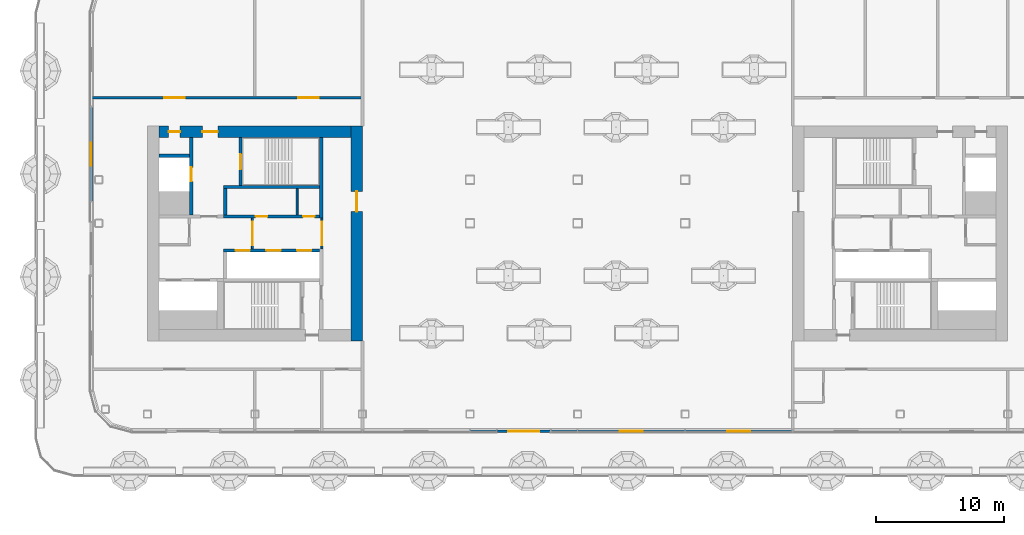
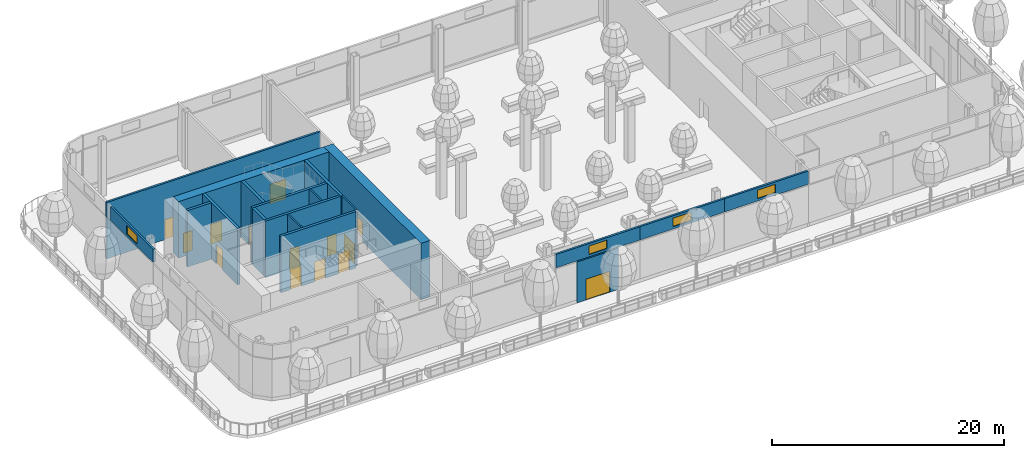
# One storey, part 11 of 41: 19 walls, 15 doors, 4 windows, 19 openings, 2 elements without a shape of their own.
"""IFC4 building model written with IfcOpenShell, lengths in metres."""

from ifc_helpers import new_model, si_unit, direction, frame, frame_2d, origin, place, context, subcontext, project, spatial, rectangle, extrude, material, layer, layer_set, type_object, element, fill, aggregate, save


model = new_model("IFC4")

# Units and contexts
model_context = context("Model", 3, precision=1e-05, world=origin(), true_north=direction((0.0, 1.0)))
body_context = subcontext(model_context, "Body", "Model", "MODEL_VIEW")
ifc_project = project(units=[si_unit("LENGTHUNIT", "METRE"), si_unit("AREAUNIT", "SQUARE_METRE"), si_unit("VOLUMEUNIT", "CUBIC_METRE"), si_unit("PLANEANGLEUNIT", "RADIAN"), si_unit("MASSUNIT", "GRAM", prefix="KILO")], contexts=[model_context])

# Site, building, storey
site_placement = place(None, origin())
site = spatial("IfcSite", under=ifc_project, at=site_placement, CompositionType="ELEMENT")
building_placement = place(site_placement, origin())
building = spatial("IfcBuilding", under=site, at=building_placement, Name="Hakoniwa Tower and Hamabe Station Hall", CompositionType="ELEMENT")
storey_placement = place(building_placement, frame((0.0, 0.0, 180.199951171875)))
storey = spatial("IfcBuildingStorey", under=building, at=storey_placement, Name="L51", CompositionType="ELEMENT", Elevation=180.199951171875)

# Wall, opening, door
ifc_material_1 = material(Name="Gypsum board partition")
ifc_layer_1 = layer(ifc_material_1, 0.14990234375)
ifc_layer_set_1 = layer_set([ifc_layer_1], Name="CORE PARTITION 150 EI 60")
wall_type_1 = type_object("IfcWallType", Name="CORE PARTITION 150 EI 60", PredefinedType="PARTITIONING", material=ifc_layer_set_1)
wall_1_placement = place(storey_placement, frame((-19.97509765625, -1.199951171875, 0.0), z_axis=(0.0, 0.0, 1.0), x_axis=(0.0, 1.0, 0.0)))
wall_1 = element("IfcWall", 1, at=wall_1_placement, inside=storey, type_object=wall_type_1, Name="Core partition PL0 west", PredefinedType="PARTITIONING", context=body_context, shape_type="SweptSolid", body=[
    extrude(rectangle(XDim=2.39990234375, YDim=0.14990234375, at=frame_2d((1.199951171875, 0.0))), origin(), (0.0, 0.0, 1.0), 5.949951171875),
])
opening_1_placement = place(wall_1_placement, frame((0.300048828125, 0.0, 0.0)))
opening_1 = element("IfcOpeningElement", 2, at=opening_1_placement, cuts=wall_1, Name="Opening CD-W-LP0-18", PredefinedType="OPENING", context=body_context, shape_type="SweptSolid", body=[
    extrude(rectangle(XDim=1.800048828125, YDim=2.10009765625, at=frame_2d((0.89990234375, 1.050048828125))), frame((0.0, 0.0849609375, 0.0), z_axis=(0.0, -1.0, 0.0), x_axis=(1.0, 0.0, 0.0)), (0.0, 0.0, 1.0), 0.169921875),
])
ifc_material_2 = material(Name="Steel fire door", Category="steel")
door_type_1 = type_object("IfcDoorType", Name="CORE DOOR 1800 FD60", OperationType="DOUBLE_DOOR_SINGLE_SWING", PredefinedType="DOOR", material=ifc_material_2)
door_1_placement = place(opening_1_placement, origin())
door_1 = element("IfcDoor", 3, at=door_1_placement, inside=storey, type_object=door_type_1, Name="Lift lobby partition door", OperationType="DOUBLE_DOOR_SINGLE_SWING", OverallHeight=2.10009765625, OverallWidth=1.800048828125, PredefinedType="DOOR", context=body_context, shape_type="SweptSolid", body=[
    extrude(rectangle(XDim=1.800048828125, YDim=2.10009765625, at=frame_2d((0.89990234375, 1.050048828125))), frame((0.0, 0.02490234375, 0.0), z_axis=(0.0, -1.0, 0.0), x_axis=(1.0, 0.0, 0.0)), (0.0, 0.0, 1.0), 0.050048828125),
])
fill(opening_1, door_1)

wall_2_placement = place(storey_placement, frame((-25.39990234375, -1.199951171875, 0.0), z_axis=(0.0, 0.0, 1.0), x_axis=(0.0, 1.0, 0.0)))
wall_2 = element("IfcWall", 4, at=wall_2_placement, inside=storey, type_object=wall_type_1, Name="Core partition PL1 west", PredefinedType="PARTITIONING", context=body_context, shape_type="SweptSolid", body=[
    extrude(rectangle(XDim=2.39990234375, YDim=0.14990234375, at=frame_2d((1.199951171875, 0.0))), origin(), (0.0, 0.0, 1.0), 5.949951171875),
])
opening_2_placement = place(wall_2_placement, frame((0.300048828125, 0.0, 0.0)))
opening_2 = element("IfcOpeningElement", 5, at=opening_2_placement, cuts=wall_2, Name="Opening CD-W-LP1-18", PredefinedType="OPENING", context=body_context, shape_type="SweptSolid", body=[
    extrude(rectangle(XDim=1.800048828125, YDim=2.10009765625, at=frame_2d((0.89990234375, 1.050048828125))), frame((0.0, 0.0849609375, 0.0), z_axis=(0.0, -1.0, 0.0), x_axis=(1.0, 0.0, 0.0)), (0.0, 0.0, 1.0), 0.169921875),
])
door_2_placement = place(opening_2_placement, origin())
door_2 = element("IfcDoor", 6, at=door_2_placement, inside=storey, type_object=door_type_1, Name="Lift lobby partition door", OperationType="DOUBLE_DOOR_SINGLE_SWING", OverallHeight=2.10009765625, OverallWidth=1.800048828125, PredefinedType="DOOR", context=body_context, shape_type="SweptSolid", body=[
    extrude(rectangle(XDim=1.800048828125, YDim=2.10009765625, at=frame_2d((0.89990234375, 1.050048828125))), frame((0.0, 0.02490234375, 0.0), z_axis=(0.0, -1.0, 0.0), x_axis=(1.0, 0.0, 0.0)), (0.0, 0.0, 1.0), 0.050048828125),
])
fill(opening_2, door_2)

# Wall
wall_3_placement = place(storey_placement, frame((-21.89990234375, 1.449951171875, 0.0), z_axis=(0.0, 0.0, 1.0), x_axis=(0.0, 1.0, 0.0)))
element("IfcWall", 7, at=wall_3_placement, inside=storey, type_object=wall_type_1, Name="Core partition PFLR0 west", PredefinedType="PARTITIONING", context=body_context, shape_type="SweptSolid", body=[
    extrude(rectangle(XDim=2.050048828125, YDim=0.14990234375, at=frame_2d((1.02490234375, 0.0))), origin(), (0.0, 0.0, 1.0), 5.949951171875),
])

# Wall, opening, door
ifc_material_3 = material(Name="Concrete C60", Category="concrete")
ifc_layer_2 = layer(ifc_material_3, 0.89990234375)
ifc_layer_set_2 = layer_set([ifc_layer_2], Name="CORE WALL 900 C60")
wall_type_2 = type_object("IfcWallType", Name="CORE WALL 900 C60", PredefinedType="SHEAR", material=ifc_layer_set_2)
wall_4_placement = place(storey_placement, frame((-17.25, -8.39990234375, 0.0), z_axis=(0.0, 0.0, 1.0), x_axis=(0.0, 1.0, 0.0)))
wall_4 = element("IfcWall", 8, at=wall_4_placement, inside=storey, type_object=wall_type_2, Name="Core wall INNER west", PredefinedType="SHEAR", context=body_context, shape_type="SweptSolid", body=[
    extrude(rectangle(XDim=16.7998046875, YDim=0.89990234375, at=frame_2d((8.39990234375, 0.0))), origin(), (0.0, 0.0, 1.0), 5.949951171875),
])
opening_3_placement = place(wall_4_placement, frame((10.10009765625, 0.0, 0.0)))
opening_3 = element("IfcOpeningElement", 9, at=opening_3_placement, cuts=wall_4, Name="Opening CD-W-IN1-16", PredefinedType="OPENING", context=body_context, shape_type="SweptSolid", body=[
    extrude(rectangle(XDim=1.60009765625, YDim=2.10009765625, at=frame_2d((0.800048828125, 1.050048828125))), frame((0.0, 0.4599609375, 0.0), z_axis=(0.0, -1.0, 0.0), x_axis=(1.0, 0.0, 0.0)), (0.0, 0.0, 1.0), 0.919921875),
])
ifc_material_4 = material(Name="Steel fire door", Category="steel")
door_type_2 = type_object("IfcDoorType", Name="CORE DOOR 1600 FD60", OperationType="DOUBLE_DOOR_SINGLE_SWING", PredefinedType="DOOR", material=ifc_material_4)
door_3_placement = place(opening_3_placement, origin())
door_3 = element("IfcDoor", 10, at=door_3_placement, inside=storey, type_object=door_type_2, Name="Lift lobby door", OperationType="DOUBLE_DOOR_SINGLE_SWING", OverallHeight=2.10009765625, OverallWidth=1.60009765625, PredefinedType="DOOR", context=body_context, shape_type="SweptSolid", body=[
    extrude(rectangle(XDim=1.60009765625, YDim=2.10009765625, at=frame_2d((0.800048828125, 1.050048828125))), frame((0.0, 0.02490234375, 0.0), z_axis=(0.0, -1.0, 0.0), x_axis=(1.0, 0.0, 0.0)), (0.0, 0.0, 1.0), 0.050048828125),
])
fill(opening_3, door_3)

# Wall, openings, doors
wall_5_placement = place(storey_placement, frame((-32.699951171875, 7.949951171875, 0.0), z_axis=(0.0, 0.0, 1.0), x_axis=(1.0, 0.0, 0.0)))
wall_5 = element("IfcWall", 11, at=wall_5_placement, inside=storey, type_object=wall_type_2, Name="Core wall NORTH west", PredefinedType="SHEAR", context=body_context, shape_type="SweptSolid", body=[
    extrude(rectangle(XDim=15.0, YDim=0.89990234375, at=frame_2d((7.5, 0.0))), origin(), (0.0, 0.0, 1.0), 5.949951171875),
])
opening_4_placement = place(wall_5_placement, frame((3.39990234375, 0.0, 0.0)))
opening_4 = element("IfcOpeningElement", 12, at=opening_4_placement, cuts=wall_5, Name="Opening CD-W-FN1-12", PredefinedType="OPENING", context=body_context, shape_type="SweptSolid", body=[
    extrude(rectangle(XDim=1.199951171875, YDim=2.10009765625, at=frame_2d((0.60009765625, 1.050048828125))), frame((0.0, 0.4599609375, 0.0), z_axis=(0.0, -1.0, 0.0), x_axis=(1.0, 0.0, 0.0)), (0.0, 0.0, 1.0), 0.919921875),
])
opening_5_placement = place(wall_5_placement, frame((0.75, 0.0, 0.0)))
opening_5 = element("IfcOpeningElement", 13, at=opening_5_placement, cuts=wall_5, Name="Opening CD-W-FN2-9", PredefinedType="OPENING", context=body_context, shape_type="SweptSolid", body=[
    extrude(rectangle(XDim=0.89990234375, YDim=2.10009765625, at=frame_2d((0.449951171875, 1.050048828125))), frame((0.0, 0.4599609375, 0.0), z_axis=(0.0, -1.0, 0.0), x_axis=(1.0, 0.0, 0.0)), (0.0, 0.0, 1.0), 0.919921875),
])
ifc_material_5 = material(Name="Steel fire door", Category="steel")
door_type_3 = type_object("IfcDoorType", Name="CORE DOOR 1200 FD60", OperationType="DOUBLE_DOOR_SINGLE_SWING", PredefinedType="DOOR", material=ifc_material_5)
door_4_placement = place(opening_4_placement, origin())
door_4 = element("IfcDoor", 14, at=door_4_placement, inside=storey, type_object=door_type_3, Name="Stair vestibule door to the fire-fighting lobby", OperationType="DOUBLE_DOOR_SINGLE_SWING", OverallHeight=2.10009765625, OverallWidth=1.199951171875, PredefinedType="DOOR", context=body_context, shape_type="SweptSolid", body=[
    extrude(rectangle(XDim=1.199951171875, YDim=2.10009765625, at=frame_2d((0.60009765625, 1.050048828125))), frame((0.0, 0.02490234375, 0.0), z_axis=(0.0, -1.0, 0.0), x_axis=(1.0, 0.0, 0.0)), (0.0, 0.0, 1.0), 0.050048828125),
])
fill(opening_4, door_4)
ifc_material_6 = material(Name="Steel fire door", Category="steel")
door_type_4 = type_object("IfcDoorType", Name="CORE DOOR 900 FD30", OperationType="NOTDEFINED", PredefinedType="DOOR", material=ifc_material_6)
door_5_placement = place(opening_5_placement, origin())
door_5 = element("IfcDoor", 15, at=door_5_placement, inside=storey, type_object=door_type_4, Name="Riser access door", OperationType="SINGLE_SWING_LEFT", OverallHeight=2.10009765625, OverallWidth=0.89990234375, PredefinedType="DOOR", context=body_context, shape_type="SweptSolid", body=[
    extrude(rectangle(XDim=0.89990234375, YDim=2.10009765625, at=frame_2d((0.449951171875, 1.050048828125))), frame((0.0, 0.02490234375, 0.0), z_axis=(0.0, -1.0, 0.0), x_axis=(1.0, 0.0, 0.0)), (0.0, 0.0, 1.0), 0.050048828125),
])
fill(opening_5, door_5)

# Wall
ifc_material_7 = material(Name="Concrete C60", Category="concrete")
ifc_layer_3 = layer(ifc_material_7, 0.25)
ifc_layer_set_3 = layer_set([ifc_layer_3], Name="CORE WEB WALL 250 C60")
wall_type_3 = type_object("IfcWallType", Name="CORE WEB WALL 250 C60", PredefinedType="SHEAR", material=ifc_layer_set_3)
wall_6_placement = place(storey_placement, frame((-20.02490234375, 1.199951171875, 0.0), z_axis=(0.0, 0.0, 1.0), x_axis=(0.0, 1.0, 0.0)))
element("IfcWall", 16, at=wall_6_placement, inside=storey, type_object=wall_type_3, Name="Core wall W1N west", PredefinedType="SHEAR", context=body_context, shape_type="SweptSolid", body=[
    extrude(rectangle(XDim=6.300048828125, YDim=0.25, at=frame_2d((3.14990234375, 0.0))), origin(), (0.0, 0.0, 1.0), 5.949951171875),
])

# Wall, openings, doors
wall_7_placement = place(storey_placement, frame((-27.64990234375, 1.324951171875, 0.0), z_axis=(0.0, 0.0, 1.0), x_axis=(1.0, 0.0, 0.0)))
wall_7 = element("IfcWall", 17, at=wall_7_placement, inside=storey, type_object=wall_type_3, Name="Core wall NF west", PredefinedType="SHEAR", context=body_context, shape_type="SweptSolid", body=[
    extrude(rectangle(XDim=7.5, YDim=0.25, at=frame_2d((3.75, 0.0))), origin(), (0.0, 0.0, 1.0), 5.949951171875),
])
opening_6_placement = place(wall_7_placement, frame((6.21240234375, 0.0, 0.0)))
opening_6 = element("IfcOpeningElement", 18, at=opening_6_placement, cuts=wall_7, Name="Opening CD-W-FRLR0-9", PredefinedType="OPENING", context=body_context, shape_type="SweptSolid", body=[
    extrude(rectangle(XDim=0.89990234375, YDim=2.10009765625, at=frame_2d((0.449951171875, 1.050048828125))), frame((0.0, 0.135009765625, 0.0), z_axis=(0.0, -1.0, 0.0), x_axis=(1.0, 0.0, 0.0)), (0.0, 0.0, 1.0), 0.27001953125),
])
opening_7_placement = place(wall_7_placement, frame((2.512451171875, 0.0, 0.0)))
opening_7 = element("IfcOpeningElement", 19, at=opening_7_placement, cuts=wall_7, Name="Opening CD-W-FRLR1-9", PredefinedType="OPENING", context=body_context, shape_type="SweptSolid", body=[
    extrude(rectangle(XDim=0.89990234375, YDim=2.10009765625, at=frame_2d((0.449951171875, 1.050048828125))), frame((0.0, 0.135009765625, 0.0), z_axis=(0.0, -1.0, 0.0), x_axis=(1.0, 0.0, 0.0)), (0.0, 0.0, 1.0), 0.27001953125),
])
door_6_placement = place(opening_6_placement, origin())
door_6 = element("IfcDoor", 20, at=door_6_placement, inside=storey, type_object=door_type_4, Name="Store room door", OperationType="SINGLE_SWING_LEFT", OverallHeight=2.10009765625, OverallWidth=0.89990234375, PredefinedType="DOOR", context=body_context, shape_type="SweptSolid", body=[
    extrude(rectangle(XDim=0.89990234375, YDim=2.10009765625, at=frame_2d((0.449951171875, 1.050048828125))), frame((0.0, 0.02490234375, 0.0), z_axis=(0.0, -1.0, 0.0), x_axis=(1.0, 0.0, 0.0)), (0.0, 0.0, 1.0), 0.050048828125),
])
fill(opening_6, door_6)
door_7_placement = place(opening_7_placement, origin())
door_7 = element("IfcDoor", 21, at=door_7_placement, inside=storey, type_object=door_type_4, Name="Store room door", OperationType="SINGLE_SWING_RIGHT", OverallHeight=2.10009765625, OverallWidth=0.89990234375, PredefinedType="DOOR", context=body_context, shape_type="SweptSolid", body=[
    extrude(rectangle(XDim=0.89990234375, YDim=2.10009765625, at=frame_2d((0.449951171875, 1.050048828125))), frame((0.0, 0.02490234375, 0.0), z_axis=(0.0, -1.0, 0.0), x_axis=(1.0, 0.0, 0.0)), (0.0, 0.0, 1.0), 0.050048828125),
])
fill(opening_7, door_7)

# Walls
wall_8_placement = place(storey_placement, frame((-27.52490234375, 1.449951171875, 0.0), z_axis=(0.0, 0.0, 1.0), x_axis=(0.0, 1.0, 0.0)))
element("IfcWall", 22, at=wall_8_placement, inside=storey, type_object=wall_type_3, Name="Core wall NE west", PredefinedType="SHEAR", context=body_context, shape_type="SweptSolid", body=[
    extrude(rectangle(XDim=2.050048828125, YDim=0.25, at=frame_2d((1.02490234375, 0.0))), origin(), (0.0, 0.0, 1.0), 5.949951171875),
])
wall_9_placement = place(storey_placement, frame((-27.64990234375, 3.625, 0.0), z_axis=(0.0, 0.0, 1.0), x_axis=(1.0, 0.0, 0.0)))
element("IfcWall", 23, at=wall_9_placement, inside=storey, type_object=wall_type_3, Name="Core wall NR west", PredefinedType="SHEAR", context=body_context, shape_type="SweptSolid", body=[
    extrude(rectangle(XDim=7.5, YDim=0.25, at=frame_2d((3.75, 0.0))), origin(), (0.0, 0.0, 1.0), 5.949951171875),
])

# Wall, opening, door
wall_10_placement = place(storey_placement, frame((-26.324951171875, 3.75, 0.0), z_axis=(0.0, 0.0, 1.0), x_axis=(0.0, 1.0, 0.0)))
wall_10 = element("IfcWall", 24, at=wall_10_placement, inside=storey, type_object=wall_type_3, Name="Core wall NSE west", PredefinedType="SHEAR", context=body_context, shape_type="SweptSolid", body=[
    extrude(rectangle(XDim=3.75, YDim=0.25, at=frame_2d((1.875, 0.0))), origin(), (0.0, 0.0, 1.0), 5.949951171875),
])
opening_8_placement = place(wall_10_placement, frame((1.25, 0.0, 0.0)))
opening_8 = element("IfcOpeningElement", 25, at=opening_8_placement, cuts=wall_10, Name="Opening CD-W-SN-12", PredefinedType="OPENING", context=body_context, shape_type="SweptSolid", body=[
    extrude(rectangle(XDim=1.199951171875, YDim=2.10009765625, at=frame_2d((0.60009765625, 1.050048828125))), frame((0.0, 0.135009765625, 0.0), z_axis=(0.0, -1.0, 0.0), x_axis=(1.0, 0.0, 0.0)), (0.0, 0.0, 1.0), 0.27001953125),
])
door_8_placement = place(opening_8_placement, origin())
door_8 = element("IfcDoor", 26, at=door_8_placement, inside=storey, type_object=door_type_3, Name="Escape stair door", OperationType="DOUBLE_DOOR_SINGLE_SWING", OverallHeight=2.10009765625, OverallWidth=1.199951171875, PredefinedType="DOOR", context=body_context, shape_type="SweptSolid", body=[
    extrude(rectangle(XDim=1.199951171875, YDim=2.10009765625, at=frame_2d((0.60009765625, 1.050048828125))), frame((0.0, 0.02490234375, 0.0), z_axis=(0.0, -1.0, 0.0), x_axis=(1.0, 0.0, 0.0)), (0.0, 0.0, 1.0), 0.050048828125),
])
fill(opening_8, door_8)

wall_11_placement = place(storey_placement, frame((-30.175048828125, 1.449951171875, 0.0), z_axis=(0.0, 0.0, 1.0), x_axis=(0.0, 1.0, 0.0)))
wall_11 = element("IfcWall", 27, at=wall_11_placement, inside=storey, type_object=wall_type_3, Name="Core wall FFF west", PredefinedType="SHEAR", context=body_context, shape_type="SweptSolid", body=[
    extrude(rectangle(XDim=6.050048828125, YDim=0.25, at=frame_2d((3.02490234375, 0.0))), origin(), (0.0, 0.0, 1.0), 5.949951171875),
])
opening_9_placement = place(wall_11_placement, frame((2.625, 0.0, 0.0)))
opening_9 = element("IfcOpeningElement", 28, at=opening_9_placement, cuts=wall_11, Name="Opening LD-FF1", PredefinedType="OPENING", context=body_context, shape_type="SweptSolid", body=[
    extrude(rectangle(XDim=1.10009765625, YDim=2.10009765625, at=frame_2d((0.550048828125, 1.050048828125))), frame((0.0, 0.135009765625, 0.0), z_axis=(0.0, -1.0, 0.0), x_axis=(1.0, 0.0, 0.0)), (0.0, 0.0, 1.0), 0.27001953125),
])
ifc_material_8 = material(Name="Stainless steel SUS304", Category="steel")
door_type_5 = type_object("IfcDoorType", Name="LIFT LANDING DOOR 1100 FD60", OperationType="DOUBLE_DOOR_SLIDING", PredefinedType="DOOR", material=ifc_material_8)
door_9_placement = place(opening_9_placement, origin())
door_9 = element("IfcDoor", 29, at=door_9_placement, inside=storey, type_object=door_type_5, Name="Lift landing door FF1 L51", OperationType="DOUBLE_DOOR_SLIDING", OverallHeight=2.10009765625, OverallWidth=1.10009765625, PredefinedType="DOOR", context=body_context, shape_type="SweptSolid", body=[
    extrude(rectangle(XDim=1.10009765625, YDim=2.10009765625, at=frame_2d((0.550048828125, 1.050048828125))), frame((0.0, 0.02490234375, 0.0), z_axis=(0.0, -1.0, 0.0), x_axis=(1.0, 0.0, 0.0)), (0.0, 0.0, 1.0), 0.050048828125),
])
fill(opening_9, door_9)

# Wall
wall_12_placement = place(storey_placement, frame((-32.699951171875, 6.074951171875, 0.0), z_axis=(0.0, 0.0, 1.0), x_axis=(1.0, 0.0, 0.0)))
element("IfcWall", 30, at=wall_12_placement, inside=storey, type_object=wall_type_3, Name="Core wall C2 west", PredefinedType="SHEAR", context=body_context, shape_type="SweptSolid", body=[
    extrude(rectangle(XDim=2.39990234375, YDim=0.25, at=frame_2d((1.199951171875, 0.0))), origin(), (0.0, 0.0, 1.0), 5.949951171875),
])

# Wall, openings, doors
wall_13_placement = place(storey_placement, frame((-27.64990234375, -1.324951171875, 0.0), z_axis=(0.0, 0.0, 1.0), x_axis=(1.0, 0.0, 0.0)))
wall_13 = element("IfcWall", 31, at=wall_13_placement, inside=storey, type_object=wall_type_3, Name="Core wall SF west", PredefinedType="SHEAR", context=body_context, shape_type="SweptSolid", body=[
    extrude(rectangle(XDim=7.5, YDim=0.25, at=frame_2d((3.75, 0.0))), origin(), (0.0, 0.0, 1.0), 5.949951171875),
])
opening_10_placement = place(wall_13_placement, frame((5.75, 0.0, 0.0)))
opening_10 = element("IfcOpeningElement", 32, at=opening_10_placement, cuts=wall_13, Name="Opening LD-HR1", PredefinedType="OPENING", context=body_context, shape_type="SweptSolid", body=[
    extrude(rectangle(XDim=1.10009765625, YDim=2.10009765625, at=frame_2d((0.550048828125, 1.050048828125))), frame((0.0, 0.135009765625, 0.0), z_axis=(0.0, -1.0, 0.0), x_axis=(1.0, 0.0, 0.0)), (0.0, 0.0, 1.0), 0.27001953125),
])
opening_11_placement = place(wall_13_placement, frame((3.35009765625, 0.0, 0.0)))
opening_11 = element("IfcOpeningElement", 33, at=opening_11_placement, cuts=wall_13, Name="Opening LD-HR2", PredefinedType="OPENING", context=body_context, shape_type="SweptSolid", body=[
    extrude(rectangle(XDim=1.10009765625, YDim=2.10009765625, at=frame_2d((0.550048828125, 1.050048828125))), frame((0.0, 0.135009765625, 0.0), z_axis=(0.0, -1.0, 0.0), x_axis=(1.0, 0.0, 0.0)), (0.0, 0.0, 1.0), 0.27001953125),
])
opening_12_placement = place(wall_13_placement, frame((0.949951171875, 0.0, 0.0)))
opening_12 = element("IfcOpeningElement", 34, at=opening_12_placement, cuts=wall_13, Name="Opening LD-HR3", PredefinedType="OPENING", context=body_context, shape_type="SweptSolid", body=[
    extrude(rectangle(XDim=1.10009765625, YDim=2.10009765625, at=frame_2d((0.550048828125, 1.050048828125))), frame((0.0, 0.135009765625, 0.0), z_axis=(0.0, -1.0, 0.0), x_axis=(1.0, 0.0, 0.0)), (0.0, 0.0, 1.0), 0.27001953125),
])
door_10_placement = place(opening_10_placement, origin())
door_10 = element("IfcDoor", 35, at=door_10_placement, inside=storey, type_object=door_type_5, Name="Lift landing door HR1 L51", OperationType="DOUBLE_DOOR_SLIDING", OverallHeight=2.10009765625, OverallWidth=1.10009765625, PredefinedType="DOOR", context=body_context, shape_type="SweptSolid", body=[
    extrude(rectangle(XDim=1.10009765625, YDim=2.10009765625, at=frame_2d((0.550048828125, 1.050048828125))), frame((0.0, 0.02490234375, 0.0), z_axis=(0.0, -1.0, 0.0), x_axis=(1.0, 0.0, 0.0)), (0.0, 0.0, 1.0), 0.050048828125),
])
fill(opening_10, door_10)
door_11_placement = place(opening_11_placement, origin())
door_11 = element("IfcDoor", 36, at=door_11_placement, inside=storey, type_object=door_type_5, Name="Lift landing door HR2 L51", OperationType="DOUBLE_DOOR_SLIDING", OverallHeight=2.10009765625, OverallWidth=1.10009765625, PredefinedType="DOOR", context=body_context, shape_type="SweptSolid", body=[
    extrude(rectangle(XDim=1.10009765625, YDim=2.10009765625, at=frame_2d((0.550048828125, 1.050048828125))), frame((0.0, 0.02490234375, 0.0), z_axis=(0.0, -1.0, 0.0), x_axis=(1.0, 0.0, 0.0)), (0.0, 0.0, 1.0), 0.050048828125),
])
fill(opening_11, door_11)
door_12_placement = place(opening_12_placement, origin())
door_12 = element("IfcDoor", 37, at=door_12_placement, inside=storey, type_object=door_type_5, Name="Lift landing door HR3 L51", OperationType="DOUBLE_DOOR_SLIDING", OverallHeight=2.10009765625, OverallWidth=1.10009765625, PredefinedType="DOOR", context=body_context, shape_type="SweptSolid", body=[
    extrude(rectangle(XDim=1.10009765625, YDim=2.10009765625, at=frame_2d((0.550048828125, 1.050048828125))), frame((0.0, 0.02490234375, 0.0), z_axis=(0.0, -1.0, 0.0), x_axis=(1.0, 0.0, 0.0)), (0.0, 0.0, 1.0), 0.050048828125),
])
fill(opening_12, door_12)

ifc_material_9 = material(Name="Fire-rated gypsum board partition", Category="gypsum")
ifc_layer_4 = layer(ifc_material_9, 0.199951171875)
ifc_layer_set_4 = layer_set([ifc_layer_4], Name="Corridor Wall 200")
wall_type_4 = type_object("IfcWallType", Name="Corridor Wall 200", PredefinedType="PARTITIONING", material=ifc_layer_set_4)
wall_14_placement = place(storey_placement, frame((-38.10009765625, 10.60009765625, 0.0), z_axis=(0.0, 0.0, 1.0), x_axis=(1.0, 0.0, 0.0)))
wall_14 = element("IfcWall", 38, at=wall_14_placement, inside=storey, type_object=wall_type_4, Name="GW-L51-004", PredefinedType="PARTITIONING", context=body_context, shape_type="SweptSolid", body=[
    extrude(rectangle(XDim=21.300048828125, YDim=0.199951171875, at=frame_2d((10.64990234375, 0.0))), origin(), (0.0, 0.0, 1.0), 5.949951171875),
])
opening_13_placement = place(wall_14_placement, frame((5.800048828125, 0.0, 0.0)))
opening_13 = element("IfcOpeningElement", 39, at=opening_13_placement, cuts=wall_14, Name="Opening GD-SL51-06", PredefinedType="OPENING", context=body_context, shape_type="SweptSolid", body=[
    extrude(rectangle(XDim=1.60009765625, YDim=2.10009765625, at=frame_2d((0.800048828125, 1.050048828125))), frame((0.0, 0.10986328125, 0.0), z_axis=(0.0, -1.0, 0.0), x_axis=(1.0, 0.0, 0.0)), (0.0, 0.0, 1.0), 0.219970703125),
])
opening_14_placement = place(wall_14_placement, frame((16.300048828125, 0.0, 0.0)))
opening_14 = element("IfcOpeningElement", 40, at=opening_14_placement, cuts=wall_14, Name="Opening GD-SL51-07", PredefinedType="OPENING", context=body_context, shape_type="SweptSolid", body=[
    extrude(rectangle(XDim=1.60009765625, YDim=2.10009765625, at=frame_2d((0.800048828125, 1.050048828125))), frame((0.0, 0.10986328125, 0.0), z_axis=(0.0, -1.0, 0.0), x_axis=(1.0, 0.0, 0.0)), (0.0, 0.0, 1.0), 0.219970703125),
])
ifc_material_10 = material(Name="Timber door leaf", Category="wood")
door_type_6 = type_object("IfcDoorType", Name="Double Door 1600", OperationType="DOUBLE_DOOR_SINGLE_SWING", PredefinedType="DOOR", material=ifc_material_10)
door_13_placement = place(opening_13_placement, origin())
door_13 = element("IfcDoor", 41, at=door_13_placement, inside=storey, type_object=door_type_6, Name="Door GD-SL51-06", OperationType="DOUBLE_DOOR_SINGLE_SWING", OverallHeight=2.10009765625, OverallWidth=1.60009765625, PredefinedType="DOOR", context=body_context, shape_type="SweptSolid", body=[
    extrude(rectangle(XDim=1.60009765625, YDim=2.10009765625, at=frame_2d((0.800048828125, 1.050048828125))), frame((0.0, 0.02490234375, 0.0), z_axis=(0.0, -1.0, 0.0), x_axis=(1.0, 0.0, 0.0)), (0.0, 0.0, 1.0), 0.050048828125),
])
fill(opening_13, door_13)
door_14_placement = place(opening_14_placement, origin())
door_14 = element("IfcDoor", 42, at=door_14_placement, inside=storey, type_object=door_type_6, Name="Door GD-SL51-07", OperationType="DOUBLE_DOOR_SINGLE_SWING", OverallHeight=2.10009765625, OverallWidth=1.60009765625, PredefinedType="DOOR", context=body_context, shape_type="SweptSolid", body=[
    extrude(rectangle(XDim=1.60009765625, YDim=2.10009765625, at=frame_2d((0.800048828125, 1.050048828125))), frame((0.0, 0.02490234375, 0.0), z_axis=(0.0, -1.0, 0.0), x_axis=(1.0, 0.0, 0.0)), (0.0, 0.0, 1.0), 0.050048828125),
])
fill(opening_14, door_14)

# Curtain wall, wall, opening, door
ifc_material_11 = material(Name="Dark low-e laminated glass", Category="glass")
ifc_layer_5 = layer(ifc_material_11, 0.199951171875)
ifc_layer_set_5 = layer_set([ifc_layer_5], Name="CW-2 SKY GARDEN")
curtain_wall_type = type_object("IfcCurtainWallType", Name="CW-2 SKY GARDEN", PredefinedType="NOTDEFINED", material=ifc_layer_set_5)
curtain_wall_1_placement = place(storey_placement, origin())
curtain_wall_1 = element("IfcCurtainWall", 43, at=curtain_wall_1_placement, inside=storey, type_object=curtain_wall_type, Name="CW-2 curtain wall", PredefinedType="NOTDEFINED")
ifc_material_12 = material(Name="Dark glass-faced aluminium panel", Category="aluminium")
ifc_layer_6 = layer(ifc_material_12, 0.199951171875)
ifc_layer_set_6 = layer_set([ifc_layer_6], Name="DOOR BAY WALL")
wall_type_5 = type_object("IfcWallType", Name="DOOR BAY WALL", PredefinedType="NOTDEFINED", material=ifc_layer_set_6)
wall_15_placement = place(storey_placement, frame((-6.27001953125, -15.449951171875, 0.0), z_axis=(0.0, 0.0, 1.0), x_axis=(1.0, 0.0, 0.0)))
wall_15 = element("IfcWall", 44, at=wall_15_placement, type_object=wall_type_5, Name="Door bay wall", PredefinedType="NOTDEFINED", context=body_context, shape_type="SweptSolid", body=[
    extrude(rectangle(XDim=4.14013671875, YDim=0.199951171875, at=frame_2d((2.070068359375, 0.0))), origin(), (0.0, 0.0, 1.0), 4.330078125),
])
opening_15_placement = place(wall_15_placement, frame((0.8701171875, 0.0, 0.0)))
opening_15 = element("IfcOpeningElement", 45, at=opening_15_placement, cuts=wall_15, Name="Opening TD-S07-T1", PredefinedType="OPENING", context=body_context, shape_type="SweptSolid", body=[
    extrude(rectangle(XDim=2.39990234375, YDim=2.199951171875, at=frame_2d((1.199951171875, 1.10009765625))), frame((0.0, 0.10986328125, 0.0), z_axis=(0.0, -1.0, 0.0), x_axis=(1.0, 0.0, 0.0)), (0.0, 0.0, 1.0), 0.219970703125),
])
ifc_material_13 = material(Name="Dark low-e laminated glass", Category="glass")
door_type_7 = type_object("IfcDoorType", Name="BALCONY SLIDING DOOR 2400X2200", OperationType="SLIDING_TO_LEFT", PredefinedType="DOOR", material=ifc_material_13)
door_15_placement = place(opening_15_placement, frame((2.39990234375, 0.0, 0.0), z_axis=(0.0, 0.0, 1.0), x_axis=(-1.0, 0.0, 0.0)))
door_15 = element("IfcDoor", 46, at=door_15_placement, inside=storey, type_object=door_type_7, Name="Balcony sliding door", OperationType="SLIDING_TO_LEFT", OverallHeight=2.199951171875, OverallWidth=2.39990234375, PredefinedType="DOOR", context=body_context, shape_type="SweptSolid", body=[
    extrude(rectangle(XDim=2.39990234375, YDim=2.199951171875, at=frame_2d((1.199951171875, 1.10009765625))), frame((0.0, 0.02490234375, 0.0), z_axis=(0.0, -1.0, 0.0), x_axis=(1.0, 0.0, 0.0)), (0.0, 0.0, 1.0), 0.050048828125),
])
fill(opening_15, door_15)

# Curtain wall, wall, opening, window
curtain_wall_2_placement = place(storey_placement, origin())
curtain_wall_2 = element("IfcCurtainWall", 47, at=curtain_wall_2_placement, inside=storey, type_object=curtain_wall_type, Name="CW-2 curtain wall", PredefinedType="NOTDEFINED")
ifc_material_14 = material(Name="Dark glass-faced aluminium panel", Category="aluminium")
ifc_layer_7 = layer(ifc_material_14, 0.199951171875)
ifc_layer_set_7 = layer_set([ifc_layer_7], Name="VENT BAND WALL")
wall_type_6 = type_object("IfcWallType", Name="VENT BAND WALL", PredefinedType="NOTDEFINED", material=ifc_layer_set_7)
wall_16_placement = place(storey_placement, frame((-38.0, 9.894775390625, 4.449951171875), z_axis=(0.0, 0.0, 1.0), x_axis=(0.0, -1.0, 0.0)))
wall_16 = element("IfcWall", 48, at=wall_16_placement, type_object=wall_type_6, Name="Vent band wall", PredefinedType="NOTDEFINED", context=body_context, shape_type="SweptSolid", body=[
    extrude(rectangle(XDim=7.394775390625, YDim=0.199951171875, at=frame_2d((3.697265625, 0.0))), origin(), (0.0, 0.0, 1.0), 1.400146484375),
])
opening_16_placement = place(wall_16_placement, frame((2.79736328125, 0.0, 0.25)))
opening_16 = element("IfcOpeningElement", 49, at=opening_16_placement, cuts=wall_16, Name="Opening VW-1", PredefinedType="OPENING", context=body_context, shape_type="SweptSolid", body=[
    extrude(rectangle(XDim=1.800048828125, YDim=0.89990234375, at=frame_2d((0.89990234375, 0.449951171875))), frame((0.0, 0.10986328125, 0.0), z_axis=(0.0, -1.0, 0.0), x_axis=(1.0, 0.0, 0.0)), (0.0, 0.0, 1.0), 0.219970703125),
])
ifc_material_15 = material(Name="Dark low-e laminated glass", Category="glass")
window_type = type_object("IfcWindowType", Name="VENT WINDOW 1800X900", PartitioningType="SINGLE_PANEL", PredefinedType="WINDOW", material=ifc_material_15)
window_1_placement = place(opening_16_placement, origin())
window_1 = element("IfcWindow", 50, at=window_1_placement, inside=storey, type_object=window_type, Name="Vent window", OverallHeight=0.89990234375, OverallWidth=1.800048828125, PartitioningType="SINGLE_PANEL", PredefinedType="WINDOW", context=body_context, shape_type="SweptSolid", body=[
    extrude(rectangle(XDim=1.800048828125, YDim=0.89990234375, at=frame_2d((0.89990234375, 0.449951171875))), frame((0.0, 0.030029296875, 0.0), z_axis=(0.0, -1.0, 0.0), x_axis=(1.0, 0.0, 0.0)), (0.0, 0.0, 1.0), 0.06005859375),
])
fill(opening_16, window_1)
aggregate(curtain_wall_2, [wall_16])

# Wall, opening, window
wall_17_placement = place(storey_placement, frame((-8.39990234375, -15.449951171875, 4.449951171875), z_axis=(0.0, 0.0, 1.0), x_axis=(1.0, 0.0, 0.0)))
wall_17 = element("IfcWall", 51, at=wall_17_placement, type_object=wall_type_6, Name="Vent band wall", PredefinedType="NOTDEFINED", context=body_context, shape_type="SweptSolid", body=[
    extrude(rectangle(XDim=8.39990234375, YDim=0.199951171875, at=frame_2d((4.199951171875, 0.0))), origin(), (0.0, 0.0, 1.0), 1.400146484375),
])
opening_17_placement = place(wall_17_placement, frame((3.300048828125, 0.0, 0.25)))
opening_17 = element("IfcOpeningElement", 52, at=opening_17_placement, cuts=wall_17, Name="Opening VW-1", PredefinedType="OPENING", context=body_context, shape_type="SweptSolid", body=[
    extrude(rectangle(XDim=1.800048828125, YDim=0.89990234375, at=frame_2d((0.89990234375, 0.449951171875))), frame((0.0, 0.10986328125, 0.0), z_axis=(0.0, -1.0, 0.0), x_axis=(1.0, 0.0, 0.0)), (0.0, 0.0, 1.0), 0.219970703125),
])
window_2_placement = place(opening_17_placement, origin())
window_2 = element("IfcWindow", 53, at=window_2_placement, inside=storey, type_object=window_type, Name="Vent window", OverallHeight=0.89990234375, OverallWidth=1.800048828125, PartitioningType="SINGLE_PANEL", PredefinedType="WINDOW", context=body_context, shape_type="SweptSolid", body=[
    extrude(rectangle(XDim=1.800048828125, YDim=0.89990234375, at=frame_2d((0.89990234375, 0.449951171875))), frame((0.0, 0.030029296875, 0.0), z_axis=(0.0, -1.0, 0.0), x_axis=(1.0, 0.0, 0.0)), (0.0, 0.0, 1.0), 0.06005859375),
])
fill(opening_17, window_2)

wall_18_placement = place(storey_placement, frame((0.0, -15.449951171875, 4.449951171875), z_axis=(0.0, 0.0, 1.0), x_axis=(1.0, 0.0, 0.0)))
wall_18 = element("IfcWall", 54, at=wall_18_placement, type_object=wall_type_6, Name="Vent band wall", PredefinedType="NOTDEFINED", context=body_context, shape_type="SweptSolid", body=[
    extrude(rectangle(XDim=8.39990234375, YDim=0.199951171875, at=frame_2d((4.199951171875, 0.0))), origin(), (0.0, 0.0, 1.0), 1.400146484375),
])
opening_18_placement = place(wall_18_placement, frame((3.300048828125, 0.0, 0.25)))
opening_18 = element("IfcOpeningElement", 55, at=opening_18_placement, cuts=wall_18, Name="Opening VW-1", PredefinedType="OPENING", context=body_context, shape_type="SweptSolid", body=[
    extrude(rectangle(XDim=1.800048828125, YDim=0.89990234375, at=frame_2d((0.89990234375, 0.449951171875))), frame((0.0, 0.10986328125, 0.0), z_axis=(0.0, -1.0, 0.0), x_axis=(1.0, 0.0, 0.0)), (0.0, 0.0, 1.0), 0.219970703125),
])
window_3_placement = place(opening_18_placement, origin())
window_3 = element("IfcWindow", 56, at=window_3_placement, inside=storey, type_object=window_type, Name="Vent window", OverallHeight=0.89990234375, OverallWidth=1.800048828125, PartitioningType="SINGLE_PANEL", PredefinedType="WINDOW", context=body_context, shape_type="SweptSolid", body=[
    extrude(rectangle(XDim=1.800048828125, YDim=0.89990234375, at=frame_2d((0.89990234375, 0.449951171875))), frame((0.0, 0.030029296875, 0.0), z_axis=(0.0, -1.0, 0.0), x_axis=(1.0, 0.0, 0.0)), (0.0, 0.0, 1.0), 0.06005859375),
])
fill(opening_18, window_3)

wall_19_placement = place(storey_placement, frame((8.39990234375, -15.449951171875, 4.449951171875), z_axis=(0.0, 0.0, 1.0), x_axis=(1.0, 0.0, 0.0)))
wall_19 = element("IfcWall", 57, at=wall_19_placement, type_object=wall_type_6, Name="Vent band wall", PredefinedType="NOTDEFINED", context=body_context, shape_type="SweptSolid", body=[
    extrude(rectangle(XDim=8.400146484375, YDim=0.199951171875, at=frame_2d((4.2001953125, 0.0))), origin(), (0.0, 0.0, 1.0), 1.400146484375),
])
opening_19_placement = place(wall_19_placement, frame((3.300048828125, 0.0, 0.25)))
opening_19 = element("IfcOpeningElement", 58, at=opening_19_placement, cuts=wall_19, Name="Opening VW-1", PredefinedType="OPENING", context=body_context, shape_type="SweptSolid", body=[
    extrude(rectangle(XDim=1.800048828125, YDim=0.89990234375, at=frame_2d((0.89990234375, 0.449951171875))), frame((0.0, 0.10986328125, 0.0), z_axis=(0.0, -1.0, 0.0), x_axis=(1.0, 0.0, 0.0)), (0.0, 0.0, 1.0), 0.219970703125),
])
window_4_placement = place(opening_19_placement, origin())
window_4 = element("IfcWindow", 59, at=window_4_placement, inside=storey, type_object=window_type, Name="Vent window", OverallHeight=0.89990234375, OverallWidth=1.800048828125, PartitioningType="SINGLE_PANEL", PredefinedType="WINDOW", context=body_context, shape_type="SweptSolid", body=[
    extrude(rectangle(XDim=1.800048828125, YDim=0.89990234375, at=frame_2d((0.89990234375, 0.449951171875))), frame((0.0, 0.030029296875, 0.0), z_axis=(0.0, -1.0, 0.0), x_axis=(1.0, 0.0, 0.0)), (0.0, 0.0, 1.0), 0.06005859375),
])
fill(opening_19, window_4)

aggregate(curtain_wall_1, [wall_17, wall_18, wall_19, wall_15])

save(model, "model.ifc")
